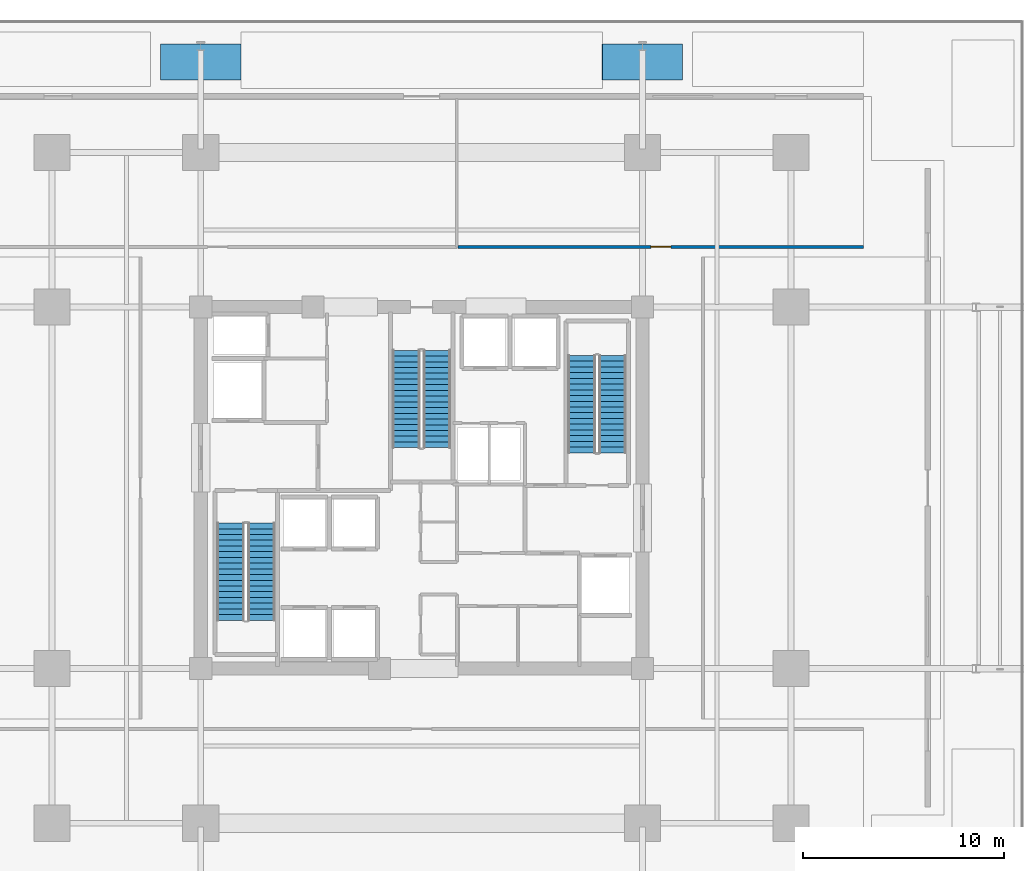
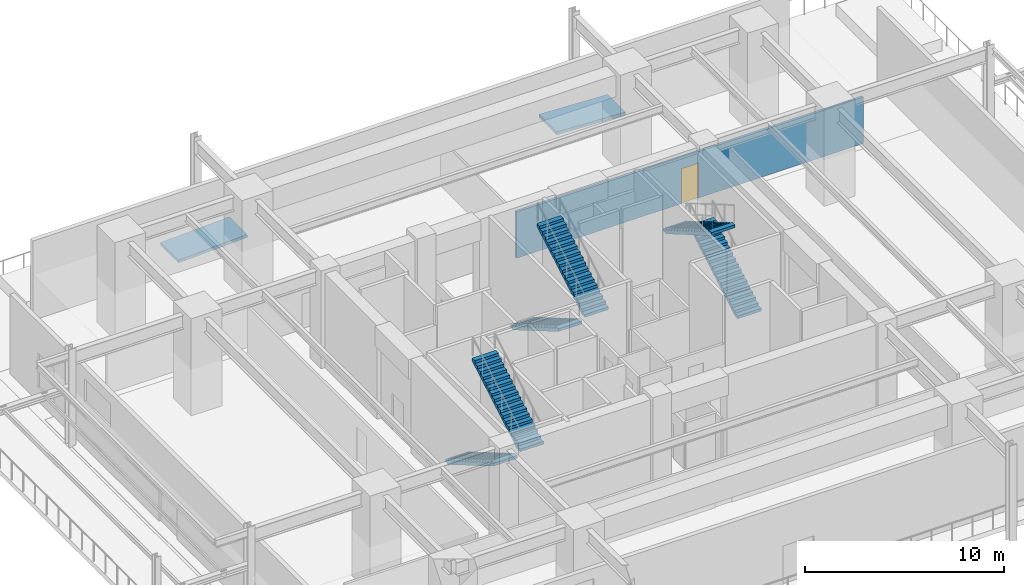
# One storey, part 9 of 14: 6 stair flights, 2 ramp flights, 1 door, 1 wall, 1 opening, 5 elements without a shape of their own.
"""IFC4 building model written with IfcOpenShell, lengths in metres."""

import ifcopenshell
import ifcopenshell.guid

model = None  # the IFC model being written
_history = None  # IfcOwnerHistory: only IFC2X3 demands one
_inside = {}  # id of a spatial element -> (the spatial element, [elements in it])
_under = {}  # id of a project, library or spatial element -> (it, [spatial elements below it])
_declared = {}  # id of a project -> (the project, [libraries it declares])
_typed = {}  # id of a type object -> (the type object, [elements of that type])
_made_of = {}  # id of a material, layer set ... -> (it, [elements and type objects made of it])


def new_model(schema):
    """Start an empty IFC model of exactly this schema.

    Asked for "IFC4X3", IfcOpenShell would pick the latest addendum, in which some entities
    have other attributes; the version numbers below select the first issue.
    IFC2X3 requires an IfcOwnerHistory on every rooted entity: one is made here for all.
    """
    global model, _history
    if schema == "IFC4X3":
        model = ifcopenshell.file(schema_version=(4, 3, 0, 0))
    else:
        model = ifcopenshell.file(schema=schema)
    _inside.clear()
    _under.clear()
    _declared.clear()
    _typed.clear()
    _made_of.clear()
    _history = None
    if model.schema == "IFC2X3":
        org = make("IfcOrganization", Name="unknown")
        user = make(
            "IfcPersonAndOrganization",
            ThePerson=make("IfcPerson", FamilyName="unknown"),
            TheOrganization=org,
        )
        app = make(
            "IfcApplication",
            ApplicationDeveloper=org,
            Version="unknown",
            ApplicationFullName="unknown",
            ApplicationIdentifier="unknown",
        )
        _history = make(
            "IfcOwnerHistory",
            OwningUser=user,
            OwningApplication=app,
            ChangeAction="ADDED",
            CreationDate=0,
        )
    return model


def make(cls, **values):
    """One entity of the class cls with the attributes given. An attribute that is None is left unset."""
    return model.create_entity(
        cls, **{name: value for name, value in values.items() if value is not None}
    )


def rooted(cls, **values):
    """An entity with a GlobalId (a new one), such as an element, a storey or a relation."""
    return make(cls, GlobalId=ifcopenshell.guid.new(), OwnerHistory=_history, **values)


def si_unit(unit_type, name, prefix=None):
    """IfcSIUnit, for example si_unit("LENGTHUNIT", "METRE", prefix="MILLI")."""
    return make("IfcSIUnit", UnitType=unit_type, Prefix=prefix, Name=name)


def assignment(units):
    """IfcUnitAssignment: the units of a project."""
    return None if units is None else make("IfcUnitAssignment", Units=units)


def point(xyz):
    """IfcCartesianPoint."""
    return None if xyz is None else make("IfcCartesianPoint", Coordinates=xyz)


def direction(xyz):
    """IfcDirection."""
    return None if xyz is None else make("IfcDirection", DirectionRatios=xyz)


def frame(location, z_axis=None, x_axis=None):
    """IfcAxis2Placement3D, a coordinate frame: its origin and axes. An axis left out is left unset."""
    return make(
        "IfcAxis2Placement3D",
        Location=point(location),
        Axis=direction(z_axis),
        RefDirection=direction(x_axis),
    )


def frame_2d(location, x_axis=None):
    """IfcAxis2Placement2D, a coordinate frame in the plane: its origin and x axis."""
    return make(
        "IfcAxis2Placement2D", Location=point(location), RefDirection=direction(x_axis)
    )


def origin():
    """The frame at (0, 0, 0) with its axes left unset."""
    return frame((0.0, 0.0, 0.0))


def place(relative_to, where):
    """IfcLocalPlacement: puts the frame where relative to a parent placement (None: the world)."""
    return make(
        "IfcLocalPlacement", PlacementRelTo=relative_to, RelativePlacement=where
    )


def context(
    kind, dimensions, precision=None, world=None, true_north=None, identifier=None
):
    """IfcGeometricRepresentationContext, for example the 3D "Model" context."""
    return make(
        "IfcGeometricRepresentationContext",
        ContextIdentifier=identifier,
        ContextType=kind,
        CoordinateSpaceDimension=dimensions,
        Precision=precision,
        WorldCoordinateSystem=world,
        TrueNorth=true_north,
    )


def subcontext(parent, identifier, kind, view, scale=None):
    """IfcGeometricRepresentationSubContext, for example "Body" below "Model"."""
    return make(
        "IfcGeometricRepresentationSubContext",
        ContextIdentifier=identifier,
        ContextType=kind,
        ParentContext=parent,
        TargetScale=scale,
        TargetView=view,
    )


def project(units=None, contexts=None):
    """IfcProject with its units and contexts."""
    return rooted(
        "IfcProject",
        Name="project",
        RepresentationContexts=contexts,
        UnitsInContext=assignment(units),
    )


def spatial(cls, under=None, at=None, **own):
    """A site, building, storey or space (cls), placed at a placement, below another one or the project."""
    s = rooted(cls, ObjectPlacement=at, **own)
    if under is not None:
        _under.setdefault(under.id(), (under, []))[1].append(s)
    return s


def polyline(points):
    """IfcPolyline through the points."""
    return make("IfcPolyline", Points=[point(p) for p in points])


def profile(cls, at=None, kind="AREA", **sizes):
    """A parametric profile (cls). Its sizes go by their IFC names, for example OverallWidth=200.0."""
    return make(cls, ProfileType=kind, Position=at, **sizes)


def rectangle(**sizes):
    """IfcRectangleProfileDef."""
    return profile("IfcRectangleProfileDef", **sizes)


def outline(outer, holes=None, kind="AREA"):
    """IfcArbitraryClosedProfileDef: a profile drawn as a closed curve; with holes, ...WithVoids."""
    if holes is None:
        return make("IfcArbitraryClosedProfileDef", ProfileType=kind, OuterCurve=outer)
    return make(
        "IfcArbitraryProfileDefWithVoids",
        ProfileType=kind,
        OuterCurve=outer,
        InnerCurves=holes,
    )


def extrude(swept, where, along, depth):
    """IfcExtrudedAreaSolid: the profile swept, set in the frame where, extruded along a direction by depth."""
    return make(
        "IfcExtrudedAreaSolid",
        SweptArea=swept,
        Position=where,
        ExtrudedDirection=direction(along),
        Depth=depth,
    )


def shape(context_of_items, identifier, shape_type, items):
    """IfcShapeRepresentation: the items that make up one representation, for example the "Body"."""
    return make(
        "IfcShapeRepresentation",
        ContextOfItems=context_of_items,
        RepresentationIdentifier=identifier,
        RepresentationType=shape_type,
        Items=items,
    )


def material(Name=None, Category=None):
    """IfcMaterial."""
    return make("IfcMaterial", Name=Name, Category=Category)


def layer(
    of_material, thickness, ventilated=None, Name=None, Category=None, Priority=None
):
    """IfcMaterialLayer: one layer of a wall or slab, of a material (None: an air gap)."""
    return make(
        "IfcMaterialLayer",
        Material=of_material,
        LayerThickness=thickness,
        IsVentilated=ventilated,
        Name=Name,
        Category=Category,
        Priority=Priority,
    )


def layer_set(layers, Name=None):
    """IfcMaterialLayerSet."""
    return make("IfcMaterialLayerSet", MaterialLayers=layers, LayerSetName=Name)


def made_of(thing, what):
    """Note that an element or type object is made of a material, layer set ...; save() writes the relation."""
    if what is not None:
        _made_of.setdefault(what.id(), (what, []))[1].append(thing)
    return thing


def type_object(cls, material=None, **own):
    """A type object (cls), such as IfcWallType, which elements share."""
    return made_of(rooted(cls, **own), material)


def element(
    cls,
    number,
    at=None,
    inside=None,
    cuts=None,
    type_object=None,
    material=None,
    context=None,
    identifier="Body",
    shape_type=None,
    held_by="IfcProductDefinitionShape",
    body=None,
    shapes=None,
    **own,
):
    """One element of the class cls, such as IfcWall. Its Tag is "e" and its number.

    at: its placement. inside: the storey or other place that contains it. cuts: it is an
    opening in that element (IfcRelVoidsElement). A single representation is given by context,
    identifier, shape_type and body (its items); several are given by shapes. held_by: the class
    of the entity that holds the representations. save() writes the other relations.
    """
    e = rooted(cls, Tag="e%d" % number, ObjectPlacement=at, **own)
    if body is not None:
        shapes = [shape(context, identifier, shape_type, body)]
    if shapes is not None:
        e.Representation = make(held_by, Representations=shapes)
    if inside is not None:
        _inside.setdefault(inside.id(), (inside, []))[1].append(e)
    if cuts is not None:
        rooted(
            "IfcRelVoidsElement", RelatingBuildingElement=cuts, RelatedOpeningElement=e
        )
    if type_object is not None:
        _typed.setdefault(type_object.id(), (type_object, []))[1].append(e)
    return made_of(e, material)


def fill(opening, filler):
    """IfcRelFillsElement: the door or window that sits in an opening."""
    return rooted(
        "IfcRelFillsElement",
        RelatingOpeningElement=opening,
        RelatedBuildingElement=filler,
    )


def aggregate(whole, parts):
    """IfcRelAggregates: a whole, such as a stair, and the parts it consists of."""
    return rooted("IfcRelAggregates", RelatingObject=whole, RelatedObjects=parts)


def save(model, path):
    """Write the relations noted so far, then the file.

    IfcRelAggregates (storeys below a building ...), IfcRelContainedInSpatialStructure (elements
    in a storey), IfcRelDefinesByType, IfcRelAssociatesMaterial and IfcRelDeclares: one each for
    every whole, place, type object, material and project.
    """
    for whole, parts in _under.values():
        aggregate(whole, parts)
    for where, things in _inside.values():
        rooted(
            "IfcRelContainedInSpatialStructure",
            RelatedElements=things,
            RelatingStructure=where,
        )
    for kind, things in _typed.values():
        rooted("IfcRelDefinesByType", RelatedObjects=things, RelatingType=kind)
    for what, things in _made_of.values():
        rooted("IfcRelAssociatesMaterial", RelatedObjects=things, RelatingMaterial=what)
    for by, libraries in _declared.values():
        rooted("IfcRelDeclares", RelatingContext=by, RelatedDefinitions=libraries)
    model.write(path)


model = new_model("IFC4")

# Units and contexts
model_context = context("Model", 3, precision=1e-05, world=origin(), true_north=direction((0.0, 1.0)))
body_context = subcontext(model_context, "Body", "Model", "MODEL_VIEW")
ifc_project = project(units=[si_unit("LENGTHUNIT", "METRE"), si_unit("AREAUNIT", "SQUARE_METRE"), si_unit("VOLUMEUNIT", "CUBIC_METRE"), si_unit("PLANEANGLEUNIT", "RADIAN"), si_unit("MASSUNIT", "GRAM", prefix="KILO")], contexts=[model_context])

# Site, building, storey
site_placement = place(None, origin())
site = spatial("IfcSite", under=ifc_project, at=site_placement, CompositionType="ELEMENT")
building_placement = place(site_placement, origin())
building = spatial("IfcBuilding", under=site, at=building_placement, Name="Kovane Verandah Tower", CompositionType="ELEMENT")
storey_placement = place(building_placement, frame((0.0, 0.0, 21.60009765625)))
storey = spatial("IfcBuildingStorey", under=building, at=storey_placement, Name="L04", CompositionType="ELEMENT", Elevation=21.60009765625)

# Wall, opening, door
ifc_material_1 = material(Name="Fire-Rated Gypsum Stud Partition", Category="gypsum")
ifc_layer_1 = layer(ifc_material_1, 0.14990234375)
ifc_layer_set_1 = layer_set([ifc_layer_1], Name="Fire-Rated Gypsum Stud Partition")
wall_type = type_object("IfcWallType", Name="WL-COR-150", PredefinedType="PARTITIONING", material=ifc_layer_set_1)
wall_placement = place(storey_placement, frame((41.820068359375, 39.5, 0.0), z_axis=(0.0, 0.0, 1.0), x_axis=(1.0, 0.0, 0.0)))
wall = element("IfcWall", 1, at=wall_placement, inside=storey, type_object=wall_type, Name="L04 Garden Event Lounge Corridor Partition", PredefinedType="PARTITIONING", context=body_context, shape_type="SweptSolid", body=[
    extrude(rectangle(XDim=20.179931640625, YDim=0.14990234375, at=frame_2d((10.08984375, 0.0))), origin(), (0.0, 0.0, 1.0), 2.849853515625),
])
opening_placement = place(wall_placement, frame((9.590087890625, 0.0, 0.0)))
opening = element("IfcOpeningElement", 2, at=opening_placement, cuts=wall, Name="Opening DR-L04-020", PredefinedType="OPENING", context=body_context, shape_type="SweptSolid", body=[
    extrude(rectangle(XDim=1.0, YDim=2.14990234375, at=frame_2d((0.5, 1.074951171875))), frame((0.0, 0.074951171875, 0.0), z_axis=(0.0, -1.0, 0.0), x_axis=(1.0, 0.0, 0.0)), (0.0, 0.0, 1.0), 0.14990234375),
])
ifc_material_2 = material(Name="FSC Spotted-Gum Timber Fire-Rated Office Door", Category="wood")
door_type = type_object("IfcDoorType", Name="DR-OFF-1000", OperationType="SINGLE_SWING_LEFT", PredefinedType="DOOR", material=ifc_material_2)
door_placement = place(opening_placement, origin())
door = element("IfcDoor", 3, at=door_placement, inside=storey, type_object=door_type, Name="L04 Garden Event Lounge Entrance Door", OperationType="SINGLE_SWING_LEFT", OverallHeight=2.14990234375, OverallWidth=1.0, PredefinedType="DOOR", context=body_context, shape_type="SweptSolid", body=[
    extrude(rectangle(XDim=1.0, YDim=2.14990234375, at=frame_2d((0.5, 1.074951171875))), frame((0.0, 0.02490234375, 0.0), z_axis=(0.0, -1.0, 0.0), x_axis=(1.0, 0.0, 0.0)), (0.0, 0.0, 1.0), 0.050048828125),
])
fill(opening, door)

# Stair, stair flights
ifc_material_3 = material(Name="Concrete C45/55", Category="concrete")
stair_type = type_object("IfcStairType", Name="ST-CORE-1380", PredefinedType="HALF_TURN_STAIR", material=ifc_material_3)
stair_1_placement = place(storey_placement, origin())
stair_1 = element("IfcStair", 4, at=stair_1_placement, inside=storey, type_object=stair_type, Name="L04 Exit Stair ST-01", PredefinedType="HALF_TURN_STAIR")
stair_flight_type = type_object("IfcStairFlightType", Name="STF-CORE-1380", PredefinedType="STRAIGHT", material=ifc_material_3)
stair_flight_1_placement = place(storey_placement, frame((30.489990234375, 25.75, 0.0), z_axis=(0.0, 0.0, 1.0), x_axis=(0.0, -1.0, 0.0)))
stair_flight_1 = element("IfcStairFlight", 5, at=stair_flight_1_placement, type_object=stair_flight_type, Name="ST-01 flight 1", NumberOfRisers=18, NumberOfTreads=17, PredefinedType="STRAIGHT", RiserHeight=0.166666667, TreadLength=0.285, context=body_context, shape_type="SweptSolid", body=[
    extrude(outline(polyline([(0.0, 0.0), (0.0, 0.166748046875), (0.284912109375, 0.166748046875), (0.284912109375, 0.333251953125), (0.570068359375, 0.333251953125), (0.570068359375, 0.5), (0.85498046875, 0.5), (0.85498046875, 0.666748046875), (1.139892578125, 0.666748046875), (1.139892578125, 0.833251953125), (1.425048828125, 0.833251953125), (1.425048828125, 1.0), (1.7099609375, 1.0), (1.7099609375, 1.166748046875), (1.9951171875, 1.166748046875), (1.9951171875, 1.333251953125), (2.280029296875, 1.333251953125), (2.280029296875, 1.5), (2.56494140625, 1.5), (2.56494140625, 1.666748046875), (2.85009765625, 1.666748046875), (2.85009765625, 1.833251953125), (3.135009765625, 1.833251953125), (3.135009765625, 2.0), (3.419921875, 2.0), (3.419921875, 2.166748046875), (3.705078125, 2.166748046875), (3.705078125, 2.333251953125), (3.989990234375, 2.333251953125), (3.989990234375, 2.5), (4.27490234375, 2.5), (4.27490234375, 2.666748046875), (4.56005859375, 2.666748046875), (4.56005859375, 2.833251953125), (4.844970703125, 2.833251953125), (4.844970703125, 3.0), (4.844970703125, 2.65966796875), (0.296875, 0.0), (0.0, 0.0)])), frame((0.0, 0.68994140625, 0.0), z_axis=(0.0, -1.0, 0.0), x_axis=(1.0, 0.0, 0.0)), (0.0, 0.0, 1.0), 1.3798828125),
])
stair_flight_2_placement = place(storey_placement, frame((32.030029296875, 20.905029296875, 3.0), z_axis=(0.0, 0.0, 1.0), x_axis=(0.0, 1.0, 0.0)))
stair_flight_2 = element("IfcStairFlight", 6, at=stair_flight_2_placement, type_object=stair_flight_type, Name="ST-01 flight 2", NumberOfRisers=18, NumberOfTreads=17, PredefinedType="STRAIGHT", RiserHeight=0.166666667, TreadLength=0.285, context=body_context, shape_type="SweptSolid", body=[
    extrude(outline(polyline([(0.0, 0.0), (0.0, 0.166748046875), (0.284912109375, 0.166748046875), (0.284912109375, 0.333251953125), (0.570068359375, 0.333251953125), (0.570068359375, 0.5), (0.85498046875, 0.5), (0.85498046875, 0.666748046875), (1.139892578125, 0.666748046875), (1.139892578125, 0.833251953125), (1.425048828125, 0.833251953125), (1.425048828125, 1.0), (1.7099609375, 1.0), (1.7099609375, 1.166748046875), (1.9951171875, 1.166748046875), (1.9951171875, 1.333251953125), (2.280029296875, 1.333251953125), (2.280029296875, 1.5), (2.56494140625, 1.5), (2.56494140625, 1.666748046875), (2.85009765625, 1.666748046875), (2.85009765625, 1.833251953125), (3.135009765625, 1.833251953125), (3.135009765625, 2.0), (3.419921875, 2.0), (3.419921875, 2.166748046875), (3.705078125, 2.166748046875), (3.705078125, 2.333251953125), (3.989990234375, 2.333251953125), (3.989990234375, 2.5), (4.27490234375, 2.5), (4.27490234375, 2.666748046875), (4.56005859375, 2.666748046875), (4.56005859375, 2.833251953125), (4.844970703125, 2.833251953125), (4.844970703125, 3.0), (4.844970703125, 2.65966796875), (0.296875, 0.0), (0.0, 0.0)])), frame((0.0, 0.68994140625, 0.0), z_axis=(0.0, -1.0, 0.0), x_axis=(1.0, 0.0, 0.0)), (0.0, 0.0, 1.0), 1.3798828125),
])
aggregate(stair_1, [stair_flight_1, stair_flight_2])

stair_2_placement = place(storey_placement, origin())
stair_2 = element("IfcStair", 7, at=stair_2_placement, inside=storey, type_object=stair_type, Name="L04 Exit Stair ST-02", PredefinedType="HALF_TURN_STAIR")
stair_flight_3_placement = place(storey_placement, frame((49.510009765625, 29.25, 0.0), z_axis=(0.0, 0.0, 1.0), x_axis=(0.0, 1.0, 0.0)))
stair_flight_3 = element("IfcStairFlight", 8, at=stair_flight_3_placement, type_object=stair_flight_type, Name="ST-02 flight 1", NumberOfRisers=18, NumberOfTreads=17, PredefinedType="STRAIGHT", RiserHeight=0.166666667, TreadLength=0.285, context=body_context, shape_type="SweptSolid", body=[
    extrude(outline(polyline([(0.0, 0.0), (0.0, 0.166748046875), (0.284912109375, 0.166748046875), (0.284912109375, 0.333251953125), (0.570068359375, 0.333251953125), (0.570068359375, 0.5), (0.85498046875, 0.5), (0.85498046875, 0.666748046875), (1.139892578125, 0.666748046875), (1.139892578125, 0.833251953125), (1.425048828125, 0.833251953125), (1.425048828125, 1.0), (1.7099609375, 1.0), (1.7099609375, 1.166748046875), (1.9951171875, 1.166748046875), (1.9951171875, 1.333251953125), (2.280029296875, 1.333251953125), (2.280029296875, 1.5), (2.56494140625, 1.5), (2.56494140625, 1.666748046875), (2.85009765625, 1.666748046875), (2.85009765625, 1.833251953125), (3.135009765625, 1.833251953125), (3.135009765625, 2.0), (3.419921875, 2.0), (3.419921875, 2.166748046875), (3.705078125, 2.166748046875), (3.705078125, 2.333251953125), (3.989990234375, 2.333251953125), (3.989990234375, 2.5), (4.27490234375, 2.5), (4.27490234375, 2.666748046875), (4.56005859375, 2.666748046875), (4.56005859375, 2.833251953125), (4.844970703125, 2.833251953125), (4.844970703125, 3.0), (4.844970703125, 2.65966796875), (0.296875, 0.0), (0.0, 0.0)])), frame((0.0, 0.68994140625, 0.0), z_axis=(0.0, -1.0, 0.0), x_axis=(1.0, 0.0, 0.0)), (0.0, 0.0, 1.0), 1.3798828125),
])
stair_flight_4_placement = place(storey_placement, frame((47.969970703125, 34.094970703125, 3.0), z_axis=(0.0, 0.0, 1.0), x_axis=(0.0, -1.0, 0.0)))
stair_flight_4 = element("IfcStairFlight", 9, at=stair_flight_4_placement, type_object=stair_flight_type, Name="ST-02 flight 2", NumberOfRisers=18, NumberOfTreads=17, PredefinedType="STRAIGHT", RiserHeight=0.166666667, TreadLength=0.285, context=body_context, shape_type="SweptSolid", body=[
    extrude(outline(polyline([(0.0, 0.0), (0.0, 0.166748046875), (0.284912109375, 0.166748046875), (0.284912109375, 0.333251953125), (0.570068359375, 0.333251953125), (0.570068359375, 0.5), (0.85498046875, 0.5), (0.85498046875, 0.666748046875), (1.139892578125, 0.666748046875), (1.139892578125, 0.833251953125), (1.425048828125, 0.833251953125), (1.425048828125, 1.0), (1.7099609375, 1.0), (1.7099609375, 1.166748046875), (1.9951171875, 1.166748046875), (1.9951171875, 1.333251953125), (2.280029296875, 1.333251953125), (2.280029296875, 1.5), (2.56494140625, 1.5), (2.56494140625, 1.666748046875), (2.85009765625, 1.666748046875), (2.85009765625, 1.833251953125), (3.135009765625, 1.833251953125), (3.135009765625, 2.0), (3.419921875, 2.0), (3.419921875, 2.166748046875), (3.705078125, 2.166748046875), (3.705078125, 2.333251953125), (3.989990234375, 2.333251953125), (3.989990234375, 2.5), (4.27490234375, 2.5), (4.27490234375, 2.666748046875), (4.56005859375, 2.666748046875), (4.56005859375, 2.833251953125), (4.844970703125, 2.833251953125), (4.844970703125, 3.0), (4.844970703125, 2.65966796875), (0.296875, 0.0), (0.0, 0.0)])), frame((0.0, 0.68994140625, 0.0), z_axis=(0.0, -1.0, 0.0), x_axis=(1.0, 0.0, 0.0)), (0.0, 0.0, 1.0), 1.3798828125),
])
aggregate(stair_2, [stair_flight_3, stair_flight_4])

stair_3_placement = place(storey_placement, origin())
stair_3 = element("IfcStair", 10, at=stair_3_placement, inside=storey, type_object=stair_type, Name="L04 Exit Stair ST-03", PredefinedType="HALF_TURN_STAIR")
stair_flight_5_placement = place(storey_placement, frame((39.22998046875, 34.35009765625, 0.0), z_axis=(0.0, 0.0, 1.0), x_axis=(0.0, -1.0, 0.0)))
stair_flight_5 = element("IfcStairFlight", 11, at=stair_flight_5_placement, type_object=stair_flight_type, Name="ST-03 flight 1", NumberOfRisers=18, NumberOfTreads=17, PredefinedType="STRAIGHT", RiserHeight=0.166666667, TreadLength=0.285, context=body_context, shape_type="SweptSolid", body=[
    extrude(outline(polyline([(0.0, 0.0), (0.0, 0.166748046875), (0.284912109375, 0.166748046875), (0.284912109375, 0.333251953125), (0.570068359375, 0.333251953125), (0.570068359375, 0.5), (0.85498046875, 0.5), (0.85498046875, 0.666748046875), (1.139892578125, 0.666748046875), (1.139892578125, 0.833251953125), (1.425048828125, 0.833251953125), (1.425048828125, 1.0), (1.7099609375, 1.0), (1.7099609375, 1.166748046875), (1.9951171875, 1.166748046875), (1.9951171875, 1.333251953125), (2.280029296875, 1.333251953125), (2.280029296875, 1.5), (2.56494140625, 1.5), (2.56494140625, 1.666748046875), (2.85009765625, 1.666748046875), (2.85009765625, 1.833251953125), (3.135009765625, 1.833251953125), (3.135009765625, 2.0), (3.419921875, 2.0), (3.419921875, 2.166748046875), (3.705078125, 2.166748046875), (3.705078125, 2.333251953125), (3.989990234375, 2.333251953125), (3.989990234375, 2.5), (4.27490234375, 2.5), (4.27490234375, 2.666748046875), (4.56005859375, 2.666748046875), (4.56005859375, 2.833251953125), (4.844970703125, 2.833251953125), (4.844970703125, 3.0), (4.844970703125, 2.65966796875), (0.296875, 0.0), (0.0, 0.0)])), frame((0.0, 0.68994140625, 0.0), z_axis=(0.0, -1.0, 0.0), x_axis=(1.0, 0.0, 0.0)), (0.0, 0.0, 1.0), 1.3798828125),
])
stair_flight_6_placement = place(storey_placement, frame((40.77001953125, 29.5048828125, 3.0), z_axis=(0.0, 0.0, 1.0), x_axis=(0.0, 1.0, 0.0)))
stair_flight_6 = element("IfcStairFlight", 12, at=stair_flight_6_placement, type_object=stair_flight_type, Name="ST-03 flight 2", NumberOfRisers=18, NumberOfTreads=17, PredefinedType="STRAIGHT", RiserHeight=0.166666667, TreadLength=0.285, context=body_context, shape_type="SweptSolid", body=[
    extrude(outline(polyline([(0.0, 0.0), (0.0, 0.166748046875), (0.284912109375, 0.166748046875), (0.284912109375, 0.333251953125), (0.570068359375, 0.333251953125), (0.570068359375, 0.5), (0.85498046875, 0.5), (0.85498046875, 0.666748046875), (1.139892578125, 0.666748046875), (1.139892578125, 0.833251953125), (1.425048828125, 0.833251953125), (1.425048828125, 1.0), (1.7099609375, 1.0), (1.7099609375, 1.166748046875), (1.9951171875, 1.166748046875), (1.9951171875, 1.333251953125), (2.280029296875, 1.333251953125), (2.280029296875, 1.5), (2.56494140625, 1.5), (2.56494140625, 1.666748046875), (2.85009765625, 1.666748046875), (2.85009765625, 1.833251953125), (3.135009765625, 1.833251953125), (3.135009765625, 2.0), (3.419921875, 2.0), (3.419921875, 2.166748046875), (3.705078125, 2.166748046875), (3.705078125, 2.333251953125), (3.989990234375, 2.333251953125), (3.989990234375, 2.5), (4.27490234375, 2.5), (4.27490234375, 2.666748046875), (4.56005859375, 2.666748046875), (4.56005859375, 2.833251953125), (4.844970703125, 2.833251953125), (4.844970703125, 3.0), (4.844970703125, 2.65966796875), (0.296875, 0.0), (0.0, 0.0)])), frame((0.0, 0.68994140625, 0.0), z_axis=(0.0, -1.0, 0.0), x_axis=(1.0, 0.0, 0.0)), (0.0, 0.0, 1.0), 1.3798828125),
])
aggregate(stair_3, [stair_flight_5, stair_flight_6])

# Ramp, ramp flight
ramp_type = type_object("IfcRampType", Name="RMP-PED-180", PredefinedType="STRAIGHT_RUN_RAMP", material=ifc_material_3)
ramp_1_placement = place(storey_placement, origin())
ramp_1 = element("IfcRamp", 13, at=ramp_1_placement, inside=storey, type_object=ramp_type, Name="L04 Accessible Pedestrian Ramp PR-05", PredefinedType="STRAIGHT_RUN_RAMP")
ifc_layer_2 = layer(ifc_material_3, 0.179931640625)
ifc_layer_set_2 = layer_set([ifc_layer_2], Name="Concrete C45/55")
ramp_flight_type = type_object("IfcRampFlightType", Name="RMPF-PED-180", PredefinedType="STRAIGHT", material=ifc_layer_set_2)
ramp_flight_1_placement = place(storey_placement, frame((27.0, 47.800048828125, 0.0), z_axis=(-0.044937468497, 0.0, 0.998989801712), x_axis=(0.998989801712, 0.0, 0.044937468497)))
ramp_flight_1 = element("IfcRampFlight", 14, at=ramp_flight_1_placement, type_object=ramp_flight_type, Name="PR-05 1:22 Accessible Flight", PredefinedType="STRAIGHT", context=body_context, shape_type="SweptSolid", body=[
    extrude(outline(polyline([(0.0, 0.0), (4.004044879281201, 0.0), (4.004044879281201, 1.8000488281250004), (0.0, 1.8000488281250004), (0.0, 0.0)])), origin(), (0.0, 0.0, -1.0), 0.179931640625),
])
aggregate(ramp_1, [ramp_flight_1])

ramp_2_placement = place(storey_placement, origin())
ramp_2 = element("IfcRamp", 15, at=ramp_2_placement, inside=storey, type_object=ramp_type, Name="L04 Accessible Pedestrian Ramp PR-06", PredefinedType="STRAIGHT_RUN_RAMP")
ramp_flight_2_placement = place(storey_placement, frame((53.0, 47.800048828125, 0.0), z_axis=(0.044937468497, 0.0, 0.998989801712), x_axis=(-0.998989801712, 0.0, 0.044937468497)))
ramp_flight_2 = element("IfcRampFlight", 16, at=ramp_flight_2_placement, type_object=ramp_flight_type, Name="PR-06 1:22 Accessible Flight", PredefinedType="STRAIGHT", context=body_context, shape_type="SweptSolid", body=[
    extrude(outline(polyline([(0.0, 0.0), (4.004044879281201, 0.0), (4.004044879281201, -1.8000488281250004), (0.0, -1.8000488281250004), (0.0, 0.0)])), origin(), (0.0, 0.0, -1.0), 0.179931640625),
])
aggregate(ramp_2, [ramp_flight_2])

save(model, "model.ifc")
